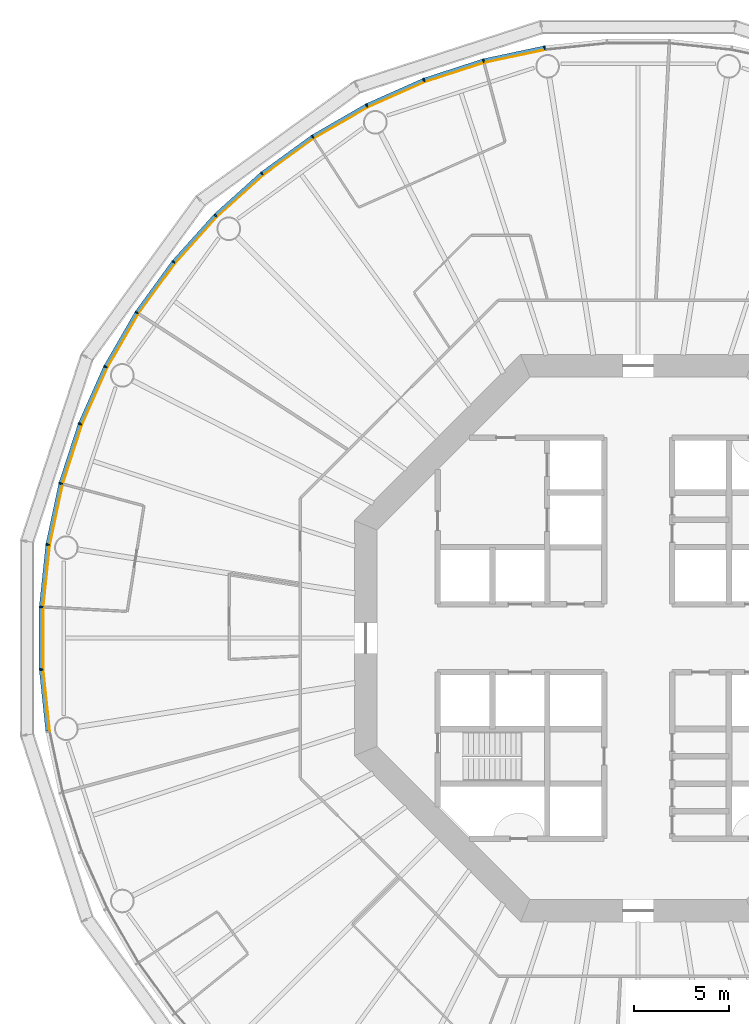
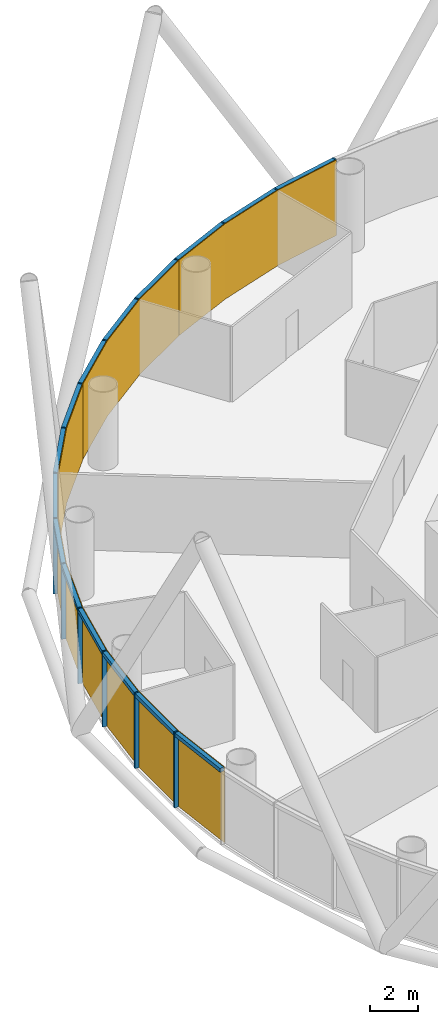
# One storey, part 11 of 14: 30 members, 5 curtain walls.
"""IFC4 building model written with IfcOpenShell, lengths in metres."""

from ifc_helpers import new_model, si_unit, direction, frame, origin, origin_2d, place, context, subcontext, project, spatial, polyline, rectangle, outline, extrude, material, layer, layer_set, material_profile, profile_set, type_object, element, aggregate, save


model = new_model("IFC4")

# Units and contexts
model_context = context("Model", 3, precision=1e-05, world=origin(), true_north=direction((0.0, 1.0)))
body_context = subcontext(model_context, "Body", "Model", "MODEL_VIEW")
ifc_project = project(units=[si_unit("LENGTHUNIT", "METRE"), si_unit("AREAUNIT", "SQUARE_METRE"), si_unit("VOLUMEUNIT", "CUBIC_METRE"), si_unit("PLANEANGLEUNIT", "RADIAN"), si_unit("MASSUNIT", "GRAM", prefix="KILO")], contexts=[model_context])

# Member
ifc_material_1 = material(Name="Anodised aluminium", Category="aluminium")
ifc_material_profile_1 = material_profile(ifc_material_1, rectangle(XDim=0.070068359375, YDim=0.199951171875, at=origin_2d()), Name="Mullion 70 x 200 mm anodised aluminium")
ifc_profile_set_1 = profile_set([ifc_material_profile_1], Name="Anodised aluminium")
member_type_1 = type_object("IfcMemberType", Name="Mullion 70 x 200 mm anodised aluminium", PredefinedType="MULLION", material=ifc_profile_set_1)
site_placement = place(None, origin())
building_placement = place(site_placement, origin())
storey_placement = place(building_placement, frame((0.0, 0.0, 80.0)))
member_1_placement = place(storey_placement, frame((85.056640625, 111.2109375, 0.0), z_axis=(0.0, 0.0, 1.0), x_axis=(-0.987688340595, -0.15643446504, 0.0)))
member_1 = element("IfcMember", 1, at=member_1_placement, type_object=member_type_1, Name="MULLION L17-15", PredefinedType="MULLION", context=body_context, shape_type="SweptSolid", body=[
    extrude(rectangle(XDim=0.070068359375, YDim=0.199951171875, at=origin_2d()), origin(), (0.0, 0.0, 1.0), 3.85009765625),
])

member_2_placement = place(storey_placement, frame((81.8212890625, 110.523193359375, 0.0), z_axis=(0.0, 0.0, 1.0), x_axis=(-0.965925826289, -0.258819045103, 0.0)))
member_2 = element("IfcMember", 2, at=member_2_placement, type_object=member_type_1, Name="MULLION L17-16", PredefinedType="MULLION", context=body_context, shape_type="SweptSolid", body=[
    extrude(rectangle(XDim=0.070068359375, YDim=0.199951171875, at=origin_2d()), origin(), (0.0, 0.0, 1.0), 3.85009765625),
])

member_3_placement = place(storey_placement, frame((78.675537109375, 109.501220703125, 0.0), z_axis=(0.0, 0.0, 1.0), x_axis=(-0.933580426497, -0.358367949545, 0.0)))
member_3 = element("IfcMember", 3, at=member_3_placement, type_object=member_type_1, Name="MULLION L17-17", PredefinedType="MULLION", context=body_context, shape_type="SweptSolid", body=[
    extrude(rectangle(XDim=0.070068359375, YDim=0.199951171875, at=origin_2d()), origin(), (0.0, 0.0, 1.0), 3.85009765625),
])

member_4_placement = place(storey_placement, frame((75.65380859375, 108.15576171875, 0.0), z_axis=(0.0, 0.0, 1.0), x_axis=(-0.891006524188, -0.45399049974, 0.0)))
member_4 = element("IfcMember", 4, at=member_4_placement, type_object=member_type_1, Name="MULLION L17-18", PredefinedType="MULLION", context=body_context, shape_type="SweptSolid", body=[
    extrude(rectangle(XDim=0.070068359375, YDim=0.199951171875, at=origin_2d()), origin(), (0.0, 0.0, 1.0), 3.85009765625),
])

member_5_placement = place(storey_placement, frame((72.789306640625, 106.501953125, 0.0), z_axis=(0.0, 0.0, 1.0), x_axis=(-0.838670567945, -0.544639035015, 0.0)))
member_5 = element("IfcMember", 5, at=member_5_placement, type_object=member_type_1, Name="MULLION L17-19", PredefinedType="MULLION", context=body_context, shape_type="SweptSolid", body=[
    extrude(rectangle(XDim=0.070068359375, YDim=0.199951171875, at=origin_2d()), origin(), (0.0, 0.0, 1.0), 3.85009765625),
])

member_6_placement = place(storey_placement, frame((70.113525390625, 104.557861328125, 0.0), z_axis=(0.0, 0.0, 1.0), x_axis=(-0.777145961457, -0.62932039105, 0.0)))
member_6 = element("IfcMember", 6, at=member_6_placement, type_object=member_type_1, Name="MULLION L17-20", PredefinedType="MULLION", context=body_context, shape_type="SweptSolid", body=[
    extrude(rectangle(XDim=0.070068359375, YDim=0.199951171875, at=origin_2d()), origin(), (0.0, 0.0, 1.0), 3.85009765625),
])

member_7_placement = place(storey_placement, frame((67.655517578125, 102.344482421875, 0.0), z_axis=(0.0, 0.0, 1.0), x_axis=(-0.707106781187, -0.707106781187, 0.0)))
member_7 = element("IfcMember", 7, at=member_7_placement, type_object=member_type_1, Name="MULLION L17-21", PredefinedType="MULLION", context=body_context, shape_type="SweptSolid", body=[
    extrude(rectangle(XDim=0.070068359375, YDim=0.199951171875, at=origin_2d()), origin(), (0.0, 0.0, 1.0), 3.85009765625),
])

member_8_placement = place(storey_placement, frame((65.442138671875, 99.886474609375, 0.0), z_axis=(0.0, 0.0, 1.0), x_axis=(-0.62932039105, -0.777145961457, 0.0)))
member_8 = element("IfcMember", 8, at=member_8_placement, type_object=member_type_1, Name="MULLION L17-22", PredefinedType="MULLION", context=body_context, shape_type="SweptSolid", body=[
    extrude(rectangle(XDim=0.070068359375, YDim=0.199951171875, at=origin_2d()), origin(), (0.0, 0.0, 1.0), 3.85009765625),
])

member_9_placement = place(storey_placement, frame((63.498046875, 97.210693359375, 0.0), z_axis=(0.0, 0.0, 1.0), x_axis=(-0.544639035015, -0.838670567945, 0.0)))
member_9 = element("IfcMember", 9, at=member_9_placement, type_object=member_type_1, Name="MULLION L17-23", PredefinedType="MULLION", context=body_context, shape_type="SweptSolid", body=[
    extrude(rectangle(XDim=0.070068359375, YDim=0.199951171875, at=origin_2d()), origin(), (0.0, 0.0, 1.0), 3.85009765625),
])

member_10_placement = place(storey_placement, frame((61.84423828125, 94.34619140625, 0.0), z_axis=(0.0, 0.0, 1.0), x_axis=(-0.45399049974, -0.891006524188, 0.0)))
member_10 = element("IfcMember", 10, at=member_10_placement, type_object=member_type_1, Name="MULLION L17-24", PredefinedType="MULLION", context=body_context, shape_type="SweptSolid", body=[
    extrude(rectangle(XDim=0.070068359375, YDim=0.199951171875, at=origin_2d()), origin(), (0.0, 0.0, 1.0), 3.85009765625),
])

member_11_placement = place(storey_placement, frame((60.498779296875, 91.324462890625, 0.0), z_axis=(0.0, 0.0, 1.0), x_axis=(-0.358367949545, -0.933580426497, 0.0)))
member_11 = element("IfcMember", 11, at=member_11_placement, type_object=member_type_1, Name="MULLION L17-25", PredefinedType="MULLION", context=body_context, shape_type="SweptSolid", body=[
    extrude(rectangle(XDim=0.070068359375, YDim=0.199951171875, at=origin_2d()), origin(), (0.0, 0.0, 1.0), 3.85009765625),
])

member_12_placement = place(storey_placement, frame((59.476806640625, 88.1787109375, 0.0), z_axis=(0.0, 0.0, 1.0), x_axis=(-0.258819045103, -0.965925826289, 0.0)))
member_12 = element("IfcMember", 12, at=member_12_placement, type_object=member_type_1, Name="MULLION L17-26", PredefinedType="MULLION", context=body_context, shape_type="SweptSolid", body=[
    extrude(rectangle(XDim=0.070068359375, YDim=0.199951171875, at=origin_2d()), origin(), (0.0, 0.0, 1.0), 3.85009765625),
])

member_13_placement = place(storey_placement, frame((58.7890625, 84.943359375, 0.0), z_axis=(0.0, 0.0, 1.0), x_axis=(-0.15643446504, -0.987688340595, 0.0)))
member_13 = element("IfcMember", 13, at=member_13_placement, type_object=member_type_1, Name="MULLION L17-27", PredefinedType="MULLION", context=body_context, shape_type="SweptSolid", body=[
    extrude(rectangle(XDim=0.070068359375, YDim=0.199951171875, at=origin_2d()), origin(), (0.0, 0.0, 1.0), 3.85009765625),
])

member_14_placement = place(storey_placement, frame((58.443359375, 81.65380859375, 0.0), z_axis=(0.0, 0.0, 1.0), x_axis=(-0.052335956243, -0.998629534755, 0.0)))
member_14 = element("IfcMember", 14, at=member_14_placement, type_object=member_type_1, Name="MULLION L17-28", PredefinedType="MULLION", context=body_context, shape_type="SweptSolid", body=[
    extrude(rectangle(XDim=0.070068359375, YDim=0.199951171875, at=origin_2d()), origin(), (0.0, 0.0, 1.0), 3.85009765625),
])

member_15_placement = place(storey_placement, frame((58.443359375, 78.34619140625, 0.0), z_axis=(0.0, 0.0, 1.0), x_axis=(0.052335956243, -0.998629534755, 0.0)))
member_15 = element("IfcMember", 15, at=member_15_placement, type_object=member_type_1, Name="MULLION L17-29", PredefinedType="MULLION", context=body_context, shape_type="SweptSolid", body=[
    extrude(rectangle(XDim=0.070068359375, YDim=0.199951171875, at=origin_2d()), origin(), (0.0, 0.0, 1.0), 3.85009765625),
])

ifc_material_2 = material(Name="Anodised aluminium", Category="aluminium")
ifc_material_profile_2 = material_profile(ifc_material_2, rectangle(XDim=0.199951171875, YDim=0.18994140625, at=origin_2d()), Name="Transom 190 x 200 mm anodised aluminium")
ifc_profile_set_2 = profile_set([ifc_material_profile_2], Name="Anodised aluminium")
member_type_2 = type_object("IfcMemberType", Name="Transom 190 x 200 mm anodised aluminium", PredefinedType="USERDEFINED", material=ifc_profile_set_2)
member_16_placement = place(storey_placement, frame((85.017333984375, 111.20263671875, 3.7548828125), z_axis=(-0.978153082647, -0.207885898771, 0.0), x_axis=(0.207885898771, -0.978153082647, 0.0)))
member_16 = element("IfcMember", 16, at=member_16_placement, type_object=member_type_2, Name="TRANSOM L17-15", ObjectType="TRANSOM", PredefinedType="USERDEFINED", context=body_context, shape_type="SweptSolid", body=[
    extrude(rectangle(XDim=0.199951171875, YDim=0.18994140625, at=origin_2d()), origin(), (0.0, 0.0, 1.0), 3.227294921875),
])

member_17_placement = place(storey_placement, frame((81.782958984375, 110.510986328125, 3.7548828125), z_axis=(-0.951046855117, -0.309046726844, 0.0), x_axis=(0.309046726844, -0.951046855117, 0.0)))
member_17 = element("IfcMember", 17, at=member_17_placement, type_object=member_type_2, Name="TRANSOM L17-16", ObjectType="TRANSOM", PredefinedType="USERDEFINED", context=body_context, shape_type="SweptSolid", body=[
    extrude(rectangle(XDim=0.199951171875, YDim=0.18994140625, at=origin_2d()), origin(), (0.0, 0.0, 1.0), 3.22705078125),
])

member_18_placement = place(storey_placement, frame((78.638671875, 109.48486328125, 3.7548828125), z_axis=(-0.913549291349, -0.406728032322, 0.0), x_axis=(0.406728032322, -0.913549291349, 0.0)))
member_18 = element("IfcMember", 18, at=member_18_placement, type_object=member_type_2, Name="TRANSOM L17-17", ObjectType="TRANSOM", PredefinedType="USERDEFINED", context=body_context, shape_type="SweptSolid", body=[
    extrude(rectangle(XDim=0.199951171875, YDim=0.18994140625, at=origin_2d()), origin(), (0.0, 0.0, 1.0), 3.22705078125),
])

member_19_placement = place(storey_placement, frame((75.618896484375, 108.1357421875, 3.7548828125), z_axis=(-0.866023062494, -0.500004055213, 0.0), x_axis=(0.500004055213, -0.866023062494, 0.0)))
member_19 = element("IfcMember", 19, at=member_19_placement, type_object=member_type_2, Name="TRANSOM L17-18", ObjectType="TRANSOM", PredefinedType="USERDEFINED", context=body_context, shape_type="SweptSolid", body=[
    extrude(rectangle(XDim=0.199951171875, YDim=0.18994140625, at=origin_2d()), origin(), (0.0, 0.0, 1.0), 3.22705078125),
])

member_20_placement = place(storey_placement, frame((72.7568359375, 106.478515625, 3.7548828125), z_axis=(-0.809004252048, -0.587802790201, 0.0), x_axis=(0.587802790201, -0.809004252048, 0.0)))
member_20 = element("IfcMember", 20, at=member_20_placement, type_object=member_type_2, Name="TRANSOM L17-19", ObjectType="TRANSOM", PredefinedType="USERDEFINED", context=body_context, shape_type="SweptSolid", body=[
    extrude(rectangle(XDim=0.199951171875, YDim=0.18994140625, at=origin_2d()), origin(), (0.0, 0.0, 1.0), 3.227294921875),
])

member_21_placement = place(storey_placement, frame((70.08349609375, 104.531005859375, 3.7548828125), z_axis=(-0.743132370743, -0.669144438484, 0.0), x_axis=(0.669144438484, -0.743132370743, 0.0)))
member_21 = element("IfcMember", 21, at=member_21_placement, type_object=member_type_2, Name="TRANSOM L17-20", ObjectType="TRANSOM", PredefinedType="USERDEFINED", context=body_context, shape_type="SweptSolid", body=[
    extrude(rectangle(XDim=0.199951171875, YDim=0.18994140625, at=origin_2d()), origin(), (0.0, 0.0, 1.0), 3.22705078125),
])

member_22_placement = place(storey_placement, frame((67.62841796875, 102.314697265625, 3.7548828125), z_axis=(-0.669144438484, -0.743132370743, 0.0), x_axis=(0.743132370743, -0.669144438484, 0.0)))
member_22 = element("IfcMember", 22, at=member_22_placement, type_object=member_type_2, Name="TRANSOM L17-21", ObjectType="TRANSOM", PredefinedType="USERDEFINED", context=body_context, shape_type="SweptSolid", body=[
    extrude(rectangle(XDim=0.199951171875, YDim=0.18994140625, at=origin_2d()), origin(), (0.0, 0.0, 1.0), 3.22705078125),
])

member_23_placement = place(storey_placement, frame((65.41845703125, 99.85400390625, 3.7548828125), z_axis=(-0.587802790201, -0.809004252048, 0.0), x_axis=(0.809004252048, -0.587802790201, 0.0)))
member_23 = element("IfcMember", 23, at=member_23_placement, type_object=member_type_2, Name="TRANSOM L17-22", ObjectType="TRANSOM", PredefinedType="USERDEFINED", context=body_context, shape_type="SweptSolid", body=[
    extrude(rectangle(XDim=0.199951171875, YDim=0.18994140625, at=origin_2d()), origin(), (0.0, 0.0, 1.0), 3.227294921875),
])

member_24_placement = place(storey_placement, frame((63.477783203125, 97.17578125, 3.7548828125), z_axis=(-0.500004055213, -0.866023062494, 0.0), x_axis=(0.866023062494, -0.500004055213, 0.0)))
member_24 = element("IfcMember", 24, at=member_24_placement, type_object=member_type_2, Name="TRANSOM L17-23", ObjectType="TRANSOM", PredefinedType="USERDEFINED", context=body_context, shape_type="SweptSolid", body=[
    extrude(rectangle(XDim=0.199951171875, YDim=0.18994140625, at=origin_2d()), origin(), (0.0, 0.0, 1.0), 3.22705078125),
])

member_25_placement = place(storey_placement, frame((61.82763671875, 94.309326171875, 3.7548828125), z_axis=(-0.406728032322, -0.913549291349, 0.0), x_axis=(0.913549291349, -0.406728032322, 0.0)))
member_25 = element("IfcMember", 25, at=member_25_placement, type_object=member_type_2, Name="TRANSOM L17-24", ObjectType="TRANSOM", PredefinedType="USERDEFINED", context=body_context, shape_type="SweptSolid", body=[
    extrude(rectangle(XDim=0.199951171875, YDim=0.18994140625, at=origin_2d()), origin(), (0.0, 0.0, 1.0), 3.22705078125),
])

member_26_placement = place(storey_placement, frame((60.486328125, 91.2861328125, 3.7548828125), z_axis=(-0.309046726844, -0.951046855117, 0.0), x_axis=(0.951046855117, -0.309046726844, 0.0)))
member_26 = element("IfcMember", 26, at=member_26_placement, type_object=member_type_2, Name="TRANSOM L17-25", ObjectType="TRANSOM", PredefinedType="USERDEFINED", context=body_context, shape_type="SweptSolid", body=[
    extrude(rectangle(XDim=0.199951171875, YDim=0.18994140625, at=origin_2d()), origin(), (0.0, 0.0, 1.0), 3.22705078125),
])

member_27_placement = place(storey_placement, frame((59.46826171875, 88.139404296875, 3.7548828125), z_axis=(-0.207885898771, -0.978153082647, 0.0), x_axis=(0.978153082647, -0.207885898771, 0.0)))
member_27 = element("IfcMember", 27, at=member_27_placement, type_object=member_type_2, Name="TRANSOM L17-26", ObjectType="TRANSOM", PredefinedType="USERDEFINED", context=body_context, shape_type="SweptSolid", body=[
    extrude(rectangle(XDim=0.199951171875, YDim=0.18994140625, at=origin_2d()), origin(), (0.0, 0.0, 1.0), 3.227294921875),
])

member_28_placement = place(storey_placement, frame((58.78466796875, 84.9033203125, 3.7548828125), z_axis=(-0.104550890115, -0.994519537956, 0.0), x_axis=(0.994519537956, -0.104550890115, 0.0)))
member_28 = element("IfcMember", 28, at=member_28_placement, type_object=member_type_2, Name="TRANSOM L17-27", ObjectType="TRANSOM", PredefinedType="USERDEFINED", context=body_context, shape_type="SweptSolid", body=[
    extrude(rectangle(XDim=0.199951171875, YDim=0.18994140625, at=origin_2d()), origin(), (0.0, 0.0, 1.0), 3.22705078125),
])

member_29_placement = place(storey_placement, frame((58.443115234375, 81.613525390625, 3.7548828125), z_axis=(0.0, -1.0, 0.0), x_axis=(1.0, 0.0, 0.0)))
member_29 = element("IfcMember", 29, at=member_29_placement, type_object=member_type_2, Name="TRANSOM L17-28", ObjectType="TRANSOM", PredefinedType="USERDEFINED", context=body_context, shape_type="SweptSolid", body=[
    extrude(rectangle(XDim=0.199951171875, YDim=0.18994140625, at=origin_2d()), origin(), (0.0, 0.0, 1.0), 3.22705078125),
])

member_30_placement = place(storey_placement, frame((58.447265625, 78.30615234375, 3.7548828125), z_axis=(0.104550890115, -0.994519537956, 0.0), x_axis=(0.994519537956, 0.104550890115, 0.0)))
member_30 = element("IfcMember", 30, at=member_30_placement, type_object=member_type_2, Name="TRANSOM L17-29", ObjectType="TRANSOM", PredefinedType="USERDEFINED", context=body_context, shape_type="SweptSolid", body=[
    extrude(rectangle(XDim=0.199951171875, YDim=0.18994140625, at=origin_2d()), origin(), (0.0, 0.0, 1.0), 3.22705078125),
])

# Site, building, storey
site = spatial("IfcSite", under=ifc_project, at=site_placement, CompositionType="ELEMENT")
building = spatial("IfcBuilding", under=site, at=building_placement, Name="Entoto Ring Tower", CompositionType="ELEMENT")
storey = spatial("IfcBuildingStorey", under=building, at=storey_placement, Name="L17", CompositionType="ELEMENT", Elevation=80.0)

# Curtain wall
ifc_material_3 = material(Name="Clear low-iron glass", Category="glass")
ifc_layer = layer(ifc_material_3, 0.035888671875)
ifc_layer_set = layer_set([ifc_layer], Name="Clear low-iron glass")
curtain_wall_type = type_object("IfcCurtainWallType", Name="Curtain wall system CW2 glazing 36 mm", PredefinedType="NOTDEFINED", material=ifc_layer_set)
curtain_wall_1_placement = place(storey_placement, origin())
curtain_wall_1 = element("IfcCurtainWall", 31, at=curtain_wall_1_placement, inside=storey, type_object=curtain_wall_type, Name="CW2 L17-06", PredefinedType="NOTDEFINED", context=body_context, shape_type="SweptSolid", body=[
    extrude(outline(polyline([(85.072265625, 111.1123046875), (81.84716796875, 110.4267578125), (78.71142578125, 109.40771484375), (75.69921875, 108.066650390625), (75.715576171875, 108.03466796875), (78.724365234375, 109.3740234375), (81.8564453125, 110.391845703125), (85.077880859375, 111.07666015625), (85.072265625, 111.1123046875)])), origin(), (0.0, 0.0, 1.0), 3.85009765625),
])

aggregate(curtain_wall_1, [member_1, member_2, member_3, member_16, member_17, member_18])

curtain_wall_2_placement = place(storey_placement, origin())
curtain_wall_2 = element("IfcCurtainWall", 32, at=curtain_wall_2_placement, inside=storey, type_object=curtain_wall_type, Name="CW2 L17-07", PredefinedType="NOTDEFINED", context=body_context, shape_type="SweptSolid", body=[
    extrude(outline(polyline([(75.69921875, 108.066650390625), (72.84375, 106.418212890625), (70.176513671875, 104.47998046875), (67.72607421875, 102.27392578125), (67.751708984375, 102.248291015625), (70.198974609375, 104.4521484375), (72.863525390625, 106.387939453125), (75.715576171875, 108.03466796875), (75.69921875, 108.066650390625)])), origin(), (0.0, 0.0, 1.0), 3.85009765625),
])

aggregate(curtain_wall_2, [member_4, member_5, member_6, member_19, member_20, member_21])

curtain_wall_3_placement = place(storey_placement, origin())
curtain_wall_3 = element("IfcCurtainWall", 33, at=curtain_wall_3_placement, inside=storey, type_object=curtain_wall_type, Name="CW2 L17-08", PredefinedType="NOTDEFINED", context=body_context, shape_type="SweptSolid", body=[
    extrude(outline(polyline([(67.72607421875, 102.27392578125), (65.52001953125, 99.823486328125), (63.581787109375, 97.15625), (61.933349609375, 94.30078125), (61.96533203125, 94.284423828125), (63.612060546875, 97.136474609375), (65.5478515625, 99.801025390625), (67.751708984375, 102.248291015625), (67.72607421875, 102.27392578125)])), origin(), (0.0, 0.0, 1.0), 3.85009765625),
])

aggregate(curtain_wall_3, [member_7, member_8, member_9, member_22, member_23, member_24])

curtain_wall_4_placement = place(storey_placement, origin())
curtain_wall_4 = element("IfcCurtainWall", 34, at=curtain_wall_4_placement, inside=storey, type_object=curtain_wall_type, Name="CW2 L17-09", PredefinedType="NOTDEFINED", context=body_context, shape_type="SweptSolid", body=[
    extrude(outline(polyline([(61.933349609375, 94.30078125), (60.59228515625, 91.28857421875), (59.5732421875, 88.15283203125), (58.8876953125, 84.927734375), (58.92333984375, 84.922119140625), (59.608154296875, 88.1435546875), (60.6259765625, 91.275634765625), (61.96533203125, 94.284423828125), (61.933349609375, 94.30078125)])), origin(), (0.0, 0.0, 1.0), 3.85009765625),
])

aggregate(curtain_wall_4, [member_10, member_11, member_12, member_25, member_26, member_27])

curtain_wall_5_placement = place(storey_placement, origin())
curtain_wall_5 = element("IfcCurtainWall", 35, at=curtain_wall_5_placement, inside=storey, type_object=curtain_wall_type, Name="CW2 L17-10", PredefinedType="NOTDEFINED", context=body_context, shape_type="SweptSolid", body=[
    extrude(outline(polyline([(58.8876953125, 84.927734375), (58.543212890625, 81.648681640625), (58.543212890625, 78.351318359375), (58.8876953125, 75.072265625), (58.92333984375, 75.077880859375), (58.5791015625, 78.353271484375), (58.5791015625, 81.646728515625), (58.92333984375, 84.922119140625), (58.8876953125, 84.927734375)])), origin(), (0.0, 0.0, 1.0), 3.85009765625),
])

aggregate(curtain_wall_5, [member_13, member_14, member_15, member_28, member_29, member_30])

save(model, "model.ifc")
